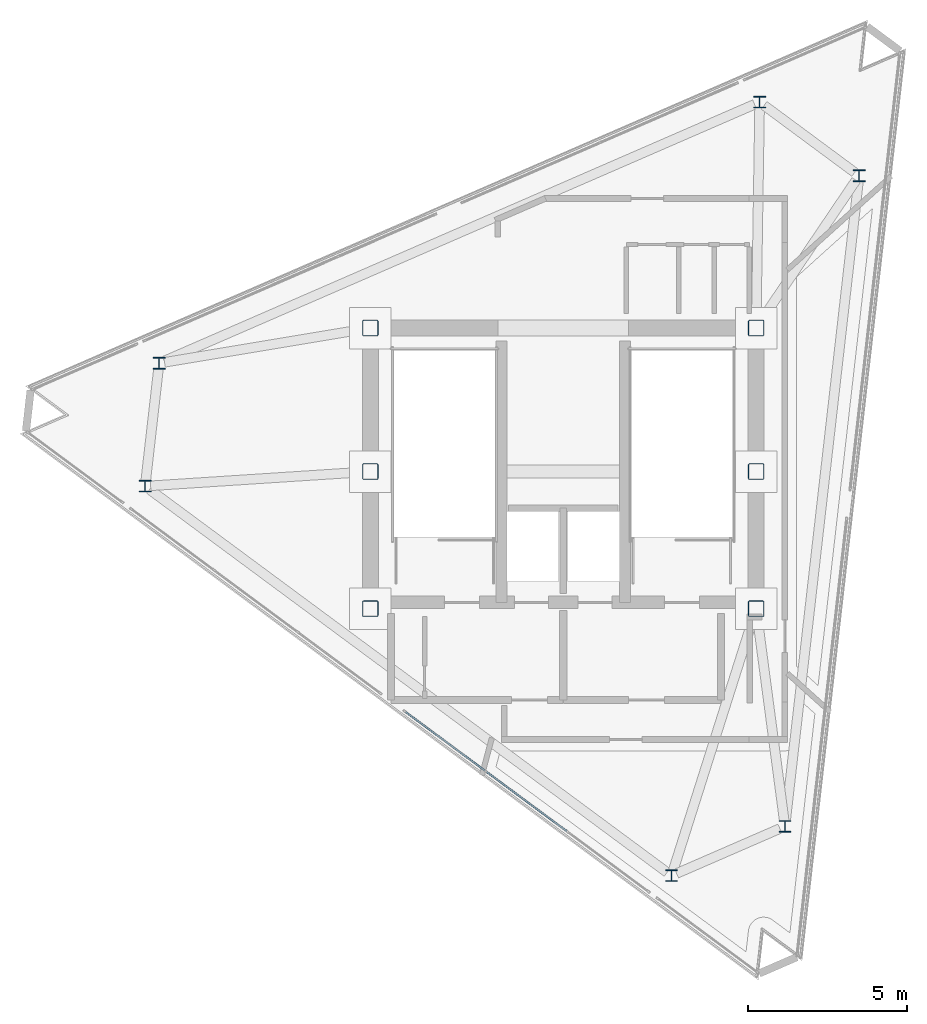
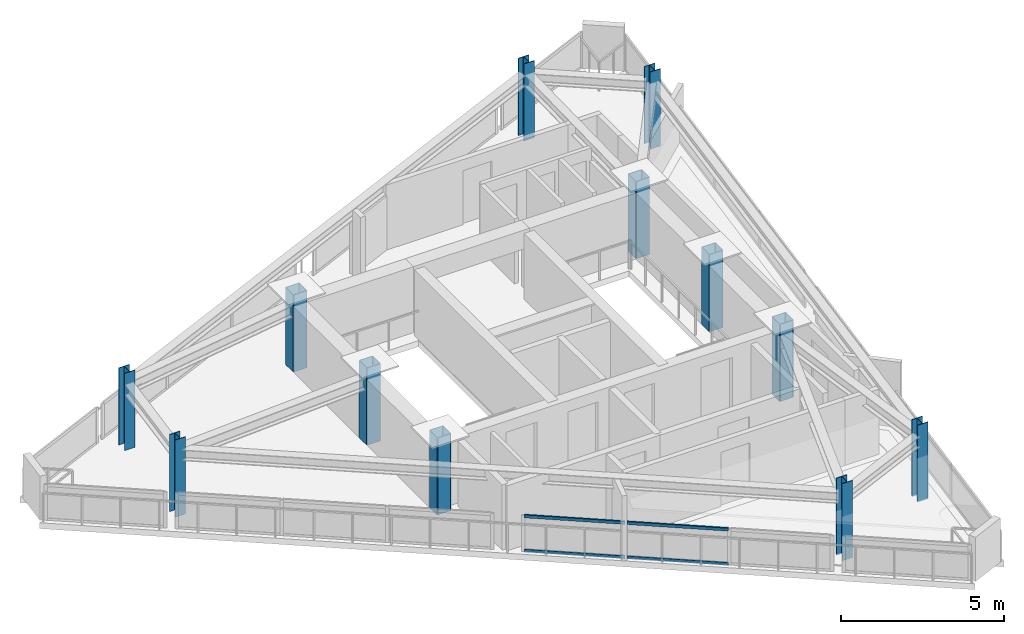
# One storey, part 1 of 9: 12 columns, 4 members, 1 element without a shape of its own.
"""IFC4 building model written with IfcOpenShell, lengths in metres."""

from ifc_helpers import new_model, si_unit, direction, frame, origin, origin_2d, place, context, subcontext, project, spatial, rectangle, hollow_rectangle, i_section, extrude, material, layer, layer_set, material_profile, profile_set, type_object, element, aggregate, save


model = new_model("IFC4")

# Units and contexts
model_context = context("Model", 3, precision=1e-05, world=origin(), true_north=direction((0.0, 1.0)))
body_context = subcontext(model_context, "Body", "Model", "MODEL_VIEW")
ifc_project = project(units=[si_unit("LENGTHUNIT", "METRE"), si_unit("AREAUNIT", "SQUARE_METRE"), si_unit("VOLUMEUNIT", "CUBIC_METRE"), si_unit("PLANEANGLEUNIT", "RADIAN"), si_unit("MASSUNIT", "GRAM", prefix="KILO")], contexts=[model_context])

# Site, building, storey
site_placement = place(None, origin())
site = spatial("IfcSite", under=ifc_project, at=site_placement, CompositionType="ELEMENT")
building_placement = place(site_placement, origin())
building = spatial("IfcBuilding", under=site, at=building_placement, Name="Rocaltana Carrier Exchange", CompositionType="ELEMENT")
storey_placement = place(building_placement, frame((0.0, 0.0, 254.8798828125)))
storey = spatial("IfcBuildingStorey", under=building, at=storey_placement, Name="L81", CompositionType="ELEMENT", Elevation=254.8798828125)

# Columns
ifc_material_1 = material(Name="Steel S460", Category="steel")
ifc_material_profile_1 = material_profile(ifc_material_1, hollow_rectangle(XDim=0.5, YDim=0.5, WallThickness=0.02001953125, InnerFilletRadius=0.02001953125, OuterFilletRadius=0.0400390625, at=origin_2d()), Name="HSS500X500X20")
ifc_profile_set_1 = profile_set([ifc_material_profile_1], Name="Steel S460")
column_type_1 = type_object("IfcColumnType", Name="Core Crown Column HSS500", PredefinedType="COLUMN", material=ifc_profile_set_1)
for number, where, z_axis, x_axis, name in (
    (1, (-6.050048828125, 4.5, 0.0), (0.0, 0.0, 1.0), (1.0, 0.0, 0.0), "L81 Core Mega-Column MC1"),
    (2, (6.050048828125, 4.5, 0.0), (0.0, 0.0, 1.0), (1.0, 0.0, 0.0), "L81 Core Mega-Column MC2"),
    (3, (-6.050048828125, 0.0, 0.0), (0.0, 0.0, 1.0), (1.0, 0.0, 0.0), "L81 Core Mega-Column MC3"),
    (4, (6.050048828125, 0.0, 0.0), (0.0, 0.0, 1.0), (1.0, 0.0, 0.0), "L81 Core Mega-Column MC4"),
    (5, (-6.050048828125, -4.300048828125, 0.0), (0.0, 0.0, 1.0), (1.0, 0.0, 0.0), "L81 Core Mega-Column MC5"),
    (6, (6.050048828125, -4.300048828125, 0.0), (0.0, 0.0, 1.0), (1.0, 0.0, 0.0), "L81 Core Mega-Column MC6"),
):
    element("IfcColumn", number, at=place(storey_placement, frame(where, z_axis=z_axis, x_axis=x_axis)), inside=storey, type_object=column_type_1, Name=name, PredefinedType="COLUMN", context=body_context, shape_type="SweptSolid", body=[
        extrude(hollow_rectangle(XDim=0.5, YDim=0.5, WallThickness=0.02001953125, InnerFilletRadius=0.02001953125, OuterFilletRadius=0.0400390625, at=origin_2d()), origin(), (0.0, 0.0, 1.0), 2.880126953125),
    ])
ifc_material_2 = material(Name="Steel S355", Category="steel")
ifc_material_profile_2 = material_profile(ifc_material_2, i_section(OverallWidth=0.37109375, OverallDepth=0.364013671875, WebThickness=0.01318359375, FlangeThickness=0.021728515625, FilletRadius=0.014892578125, at=origin_2d()), Name="W14X109")
ifc_profile_set_2 = profile_set([ifc_material_profile_2], Name="Steel S355")
column_type_2 = type_object("IfcColumnType", Name="Crown Column W14X109", PredefinedType="COLUMN", material=ifc_profile_set_2)
for number, where, z_axis, x_axis, name in (
    (7, (6.953125, -11.126708984375, 0.0), (0.0, 0.0, 1.0), (1.0, 0.0, 0.0), "L81 Crown Column CC01"),
    (8, (9.27783203125, 9.27734375, 0.0), (0.0, 0.0, 1.0), (1.0, 0.0, 0.0), "L81 Crown Column CC02"),
    (9, (6.159423828125, 11.5849609375, 0.0), (0.0, 0.0, 1.0), (1.0, 0.0, 0.0), "L81 Crown Column CC03"),
    (10, (-12.67333984375, 3.396240234375, 0.0), (0.0, 0.0, 1.0), (1.0, 0.0, 0.0), "L81 Crown Column CC04"),
    (11, (-13.112548828125, -0.458251953125, 0.0), (0.0, 0.0, 1.0), (1.0, 0.0, 0.0), "L81 Crown Column CC05"),
    (12, (3.3955078125, -12.673583984375, 0.0), (0.0, 0.0, 1.0), (1.0, 0.0, 0.0), "L81 Crown Column CC06"),
):
    element("IfcColumn", number, at=place(storey_placement, frame(where, z_axis=z_axis, x_axis=x_axis)), inside=storey, type_object=column_type_2, Name=name, PredefinedType="COLUMN", context=body_context, shape_type="SweptSolid", body=[
        extrude(i_section(OverallWidth=0.37109375, OverallDepth=0.364013671875, WebThickness=0.01318359375, FlangeThickness=0.021728515625, FilletRadius=0.014892578125, at=origin_2d()), origin(), (0.0, 0.0, 1.0), 2.880126953125),
    ])

# Curtain wall, members
ifc_material_3 = material(Name="Aluminium 6063-T6", Category="aluminium")
ifc_layer = layer(ifc_material_3, 0.110107421875)
ifc_layer_set = layer_set([ifc_layer], Name="Aluminium 6063-T6")
curtain_wall_type = type_object("IfcCurtainWallType", Name="Crown Lantern Faceted Curtain Wall CW-06", PredefinedType="NOTDEFINED", material=ifc_layer_set)
curtain_wall_placement = place(storey_placement, origin())
curtain_wall = element("IfcCurtainWall", 13, at=curtain_wall_placement, inside=storey, type_object=curtain_wall_type, Name="L81 CW-06 Run CW06-L81-F3S2-S1", PredefinedType="NOTDEFINED")
ifc_material_4 = material(Name="Aluminium 6063-T6", Category="aluminium")
ifc_material_profile_3 = material_profile(ifc_material_4, rectangle(XDim=0.054931640625, YDim=0.110107421875, at=origin_2d()), Name="AL-55X110")
ifc_profile_set_3 = profile_set([ifc_material_profile_3], Name="Aluminium 6063-T6")
member_type = type_object("IfcMemberType", Name="CW-06 Transom AL-55X110", PredefinedType="USERDEFINED", material=ifc_profile_set_3)
member_1_placement = place(storey_placement, frame((-4.947509765625, -7.534912109375, 0.027587890625), z_axis=(0.803832876563, -0.594855197973, 0.0), x_axis=(0.594855197973, 0.803832876563, 0.0)))
member_1 = element("IfcMember", 14, at=member_1_placement, type_object=member_type, Name="CW-06 transom 1.1", ObjectType="TRANSOM", PredefinedType="USERDEFINED", context=body_context, shape_type="SweptSolid", body=[
    extrude(rectangle(XDim=0.054931640625, YDim=0.110107421875, at=origin_2d()), origin(), (0.0, 0.0, 1.0), 3.105224609375),
])
member_2_placement = place(storey_placement, frame((-4.947509765625, -7.534912109375, 1.310546875), z_axis=(0.803832876563, -0.594855197973, 0.0), x_axis=(0.594855197973, 0.803832876563, 0.0)))
member_2 = element("IfcMember", 15, at=member_2_placement, type_object=member_type, Name="CW-06 transom 1.2", ObjectType="TRANSOM", PredefinedType="USERDEFINED", context=body_context, shape_type="SweptSolid", body=[
    extrude(rectangle(XDim=0.054931640625, YDim=0.110107421875, at=origin_2d()), origin(), (0.0, 0.0, 1.0), 3.105224609375),
])
member_3_placement = place(storey_placement, frame((-2.406982421875, -9.414794921875, 0.027587890625), z_axis=(0.803855315098, -0.594824875395, 0.0), x_axis=(0.594824875395, 0.803855315098, 0.0)))
member_3 = element("IfcMember", 16, at=member_3_placement, type_object=member_type, Name="CW-06 transom 2.1", ObjectType="TRANSOM", PredefinedType="USERDEFINED", context=body_context, shape_type="SweptSolid", body=[
    extrude(rectangle(XDim=0.054931640625, YDim=0.110107421875, at=origin_2d()), origin(), (0.0, 0.0, 1.0), 3.132568359375),
])
member_4_placement = place(storey_placement, frame((-2.406982421875, -9.414794921875, 1.310546875), z_axis=(0.803855315098, -0.594824875395, 0.0), x_axis=(0.594824875395, 0.803855315098, 0.0)))
member_4 = element("IfcMember", 17, at=member_4_placement, type_object=member_type, Name="CW-06 transom 2.2", ObjectType="TRANSOM", PredefinedType="USERDEFINED", context=body_context, shape_type="SweptSolid", body=[
    extrude(rectangle(XDim=0.054931640625, YDim=0.110107421875, at=origin_2d()), origin(), (0.0, 0.0, 1.0), 3.132568359375),
])
aggregate(curtain_wall, [member_1, member_2, member_3, member_4])

save(model, "model.ifc")
